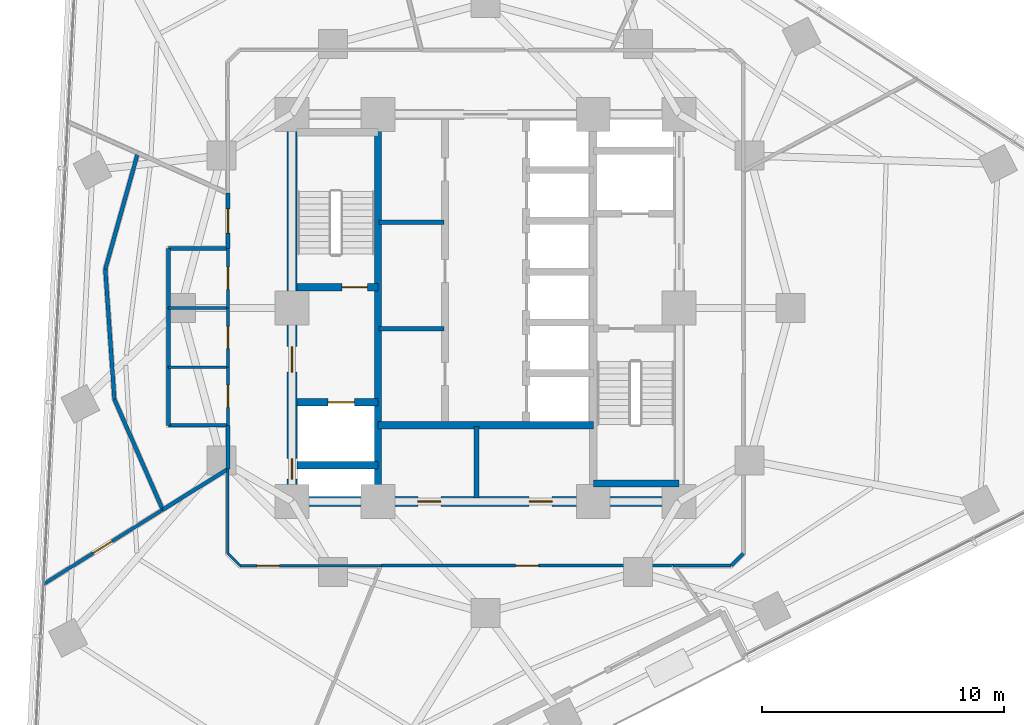
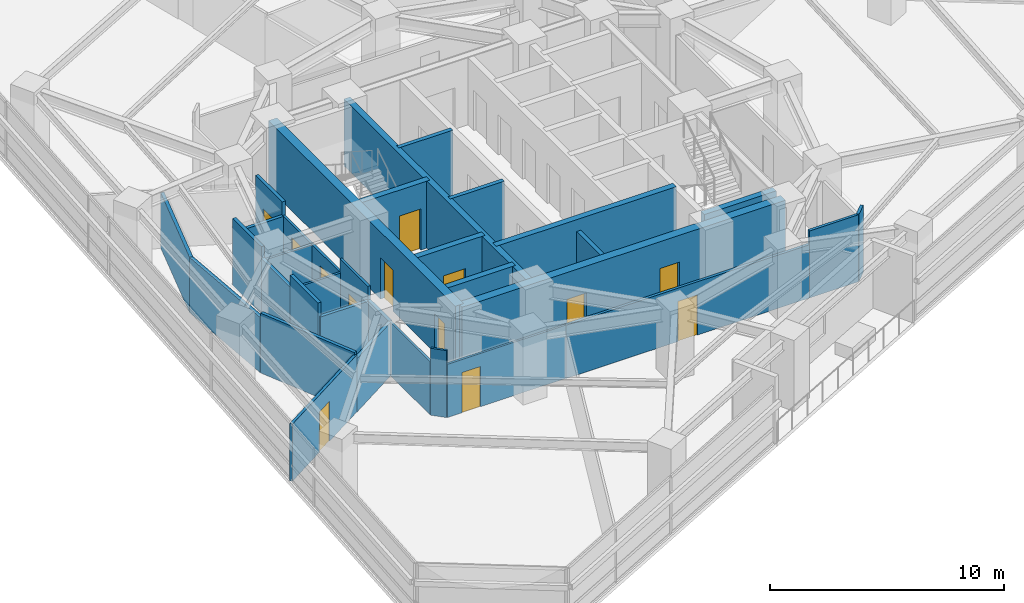
# One storey, part 8 of 14: 34 walls, 13 doors, 13 openings.
"""IFC4 building model written with IfcOpenShell, lengths in metres."""

from ifc_helpers import new_model, si_unit, direction, frame, frame_2d, origin, place, context, subcontext, project, spatial, rectangle, extrude, material, layer, layer_set, type_object, element, fill, save


model = new_model("IFC4")

# Units and contexts
model_context = context("Model", 3, precision=1e-05, world=origin(), true_north=direction((0.0, 1.0)))
body_context = subcontext(model_context, "Body", "Model", "MODEL_VIEW")
ifc_project = project(units=[si_unit("LENGTHUNIT", "METRE"), si_unit("AREAUNIT", "SQUARE_METRE"), si_unit("VOLUMEUNIT", "CUBIC_METRE"), si_unit("PLANEANGLEUNIT", "RADIAN"), si_unit("MASSUNIT", "GRAM", prefix="KILO")], contexts=[model_context])

# Site, building, storey
site_placement = place(None, origin())
site = spatial("IfcSite", under=ifc_project, at=site_placement, CompositionType="ELEMENT")
building_placement = place(site_placement, origin())
building = spatial("IfcBuilding", under=site, at=building_placement, Name="Terralouvre Media Tower", CompositionType="ELEMENT")
storey_placement = place(building_placement, frame((0.0, 0.0, 131.0)))
storey = spatial("IfcBuildingStorey", under=building, at=storey_placement, Name="L33", CompositionType="ELEMENT", Elevation=131.0)

# Wall
ifc_material_1 = material(Name="Concrete C50/60", Category="concrete")
ifc_layer_1 = layer(ifc_material_1, 0.300048828125, Name="Core Internal Shaft Wall CW-300")
ifc_layer_set_1 = layer_set([ifc_layer_1], Name="Concrete C50/60")
wall_type_1 = type_object("IfcWallType", Name="Core Internal Shaft Wall CW-300", PredefinedType="SHEAR", material=ifc_layer_set_1)
wall_1_placement = place(storey_placement, frame((-4.449951171875, -7.7900390625, 0.0), z_axis=(0.0, 0.0, 1.0), x_axis=(0.0, 1.0, 0.0)))
element("IfcWall", 1, at=wall_1_placement, inside=storey, type_object=wall_type_1, Name="L33 Core Shaft Wall SPW", PredefinedType="SHEAR", context=body_context, shape_type="SweptSolid", body=[
    extrude(rectangle(XDim=15.580078125, YDim=0.300048828125, at=frame_2d((7.7900390625, 0.0))), origin(), (0.0, 0.0, 1.0), 3.5),
])

# Wall, opening, door
wall_2_placement = place(storey_placement, frame((-7.7900390625, 0.85009765625, 0.0), z_axis=(0.0, 0.0, 1.0), x_axis=(1.0, 0.0, 0.0)))
wall_2 = element("IfcWall", 2, at=wall_2_placement, inside=storey, type_object=wall_type_1, Name="L33 Core Shaft Wall ST1D", PredefinedType="SHEAR", context=body_context, shape_type="SweptSolid", body=[
    extrude(rectangle(XDim=3.340087890625, YDim=0.300048828125, at=frame_2d((1.669921875, 0.0))), origin(), (0.0, 0.0, 1.0), 3.5),
])
opening_1_placement = place(wall_2_placement, frame((1.85009765625, 0.0, 0.0)))
opening_1 = element("IfcOpeningElement", 3, at=opening_1_placement, cuts=wall_2, Name="Opening FD-01-105X215", PredefinedType="OPENING", context=body_context, shape_type="SweptSolid", body=[
    extrude(rectangle(XDim=1.050048828125, YDim=2.14990234375, at=frame_2d((0.52490234375, 1.074951171875))), frame((0.0, 0.159912109375, 0.0), z_axis=(0.0, -1.0, 0.0), x_axis=(1.0, 0.0, 0.0)), (0.0, 0.0, 1.0), 0.320068359375),
])
ifc_material_2 = material(Name="Galvanised steel fire-resisting leaf", Category="steel")
door_type_1 = type_object("IfcDoorType", Name="Stair and Firefighting Lobby Fire Door FD-01 (1050x2150)", OperationType="NOTDEFINED", PredefinedType="DOOR", material=ifc_material_2)
door_1_placement = place(opening_1_placement, origin())
door_1 = element("IfcDoor", 4, at=door_1_placement, inside=storey, type_object=door_type_1, Name="L33 ST-01 Exit Stair Door", OperationType="SINGLE_SWING_LEFT", OverallHeight=2.14990234375, OverallWidth=1.050048828125, PredefinedType="DOOR", context=body_context, shape_type="SweptSolid", body=[
    extrude(rectangle(XDim=1.050048828125, YDim=2.14990234375, at=frame_2d((0.52490234375, 1.074951171875))), frame((0.0, 0.02490234375, 0.0), z_axis=(0.0, -1.0, 0.0), x_axis=(1.0, 0.0, 0.0)), (0.0, 0.0, 1.0), 0.050048828125),
])
fill(opening_1, door_1)

# Wall
wall_3_placement = place(storey_placement, frame((4.449951171875, -7.260009765625, 0.0), z_axis=(0.0, 0.0, 1.0), x_axis=(1.0, 0.0, 0.0)))
element("IfcWall", 5, at=wall_3_placement, inside=storey, type_object=wall_type_1, Name="L33 Core Shaft Wall ST2F", PredefinedType="SHEAR", context=body_context, shape_type="SweptSolid", body=[
    extrude(rectangle(XDim=3.550048828125, YDim=0.300048828125, at=frame_2d((1.77490234375, 0.0))), origin(), (0.0, 0.0, 1.0), 3.5),
])

# Wall, opening, door
wall_4_placement = place(storey_placement, frame((-7.7900390625, -3.89990234375, 0.0), z_axis=(0.0, 0.0, 1.0), x_axis=(1.0, 0.0, 0.0)))
wall_4 = element("IfcWall", 6, at=wall_4_placement, inside=storey, type_object=wall_type_1, Name="L33 Core Shaft Wall FF1N", PredefinedType="SHEAR", context=body_context, shape_type="SweptSolid", body=[
    extrude(rectangle(XDim=3.340087890625, YDim=0.300048828125, at=frame_2d((1.669921875, 0.0))), origin(), (0.0, 0.0, 1.0), 3.5),
])
opening_2_placement = place(wall_4_placement, frame((1.27001953125, 0.0, 0.0)))
opening_2 = element("IfcOpeningElement", 7, at=opening_2_placement, cuts=wall_4, Name="Opening LD-FF", PredefinedType="OPENING", context=body_context, shape_type="SweptSolid", body=[
    extrude(rectangle(XDim=1.10009765625, YDim=2.10009765625, at=frame_2d((0.550048828125, 1.050048828125))), frame((0.0, 0.159912109375, 0.0), z_axis=(0.0, -1.0, 0.0), x_axis=(1.0, 0.0, 0.0)), (0.0, 0.0, 1.0), 0.320068359375),
])
ifc_material_3 = material(Name="Stainless steel 316 handrail and balustrade", Category="steel")
door_type_2 = type_object("IfcDoorType", Name="Firefighting Lift Sliding Landing Door LD-FF", OperationType="SLIDING_TO_LEFT", PredefinedType="DOOR", material=ifc_material_3)
door_2_placement = place(opening_2_placement, origin())
door_2 = element("IfcDoor", 8, at=door_2_placement, inside=storey, type_object=door_type_2, Name="L33 Firefighting Lift FFL-01 Landing Door", OperationType="SLIDING_TO_LEFT", OverallHeight=2.10009765625, OverallWidth=1.10009765625, PredefinedType="DOOR", context=body_context, shape_type="SweptSolid", body=[
    extrude(rectangle(XDim=1.10009765625, YDim=2.10009765625, at=frame_2d((0.550048828125, 1.050048828125))), frame((0.0, 0.02490234375, 0.0), z_axis=(0.0, -1.0, 0.0), x_axis=(1.0, 0.0, 0.0)), (0.0, 0.0, 1.0), 0.050048828125),
])
fill(opening_2, door_2)

# Walls
wall_5_placement = place(storey_placement, frame((-7.7900390625, -6.5, 0.0), z_axis=(0.0, 0.0, 1.0), x_axis=(1.0, 0.0, 0.0)))
element("IfcWall", 9, at=wall_5_placement, inside=storey, type_object=wall_type_1, Name="L33 Core Shaft Wall FF1S", PredefinedType="SHEAR", context=body_context, shape_type="SweptSolid", body=[
    extrude(rectangle(XDim=3.340087890625, YDim=0.300048828125, at=frame_2d((1.669921875, 0.0))), origin(), (0.0, 0.0, 1.0), 3.5),
])
wall_6_placement = place(storey_placement, frame((-4.449951171875, -4.85009765625, 0.0), z_axis=(0.0, 0.0, 1.0), x_axis=(1.0, 0.0, 0.0)))
element("IfcWall", 10, at=wall_6_placement, inside=storey, type_object=wall_type_1, Name="L33 Core Shaft Wall CSBN", PredefinedType="SHEAR", context=body_context, shape_type="SweptSolid", body=[
    extrude(rectangle(XDim=8.89990234375, YDim=0.300048828125, at=frame_2d((4.449951171875, 0.0))), origin(), (0.0, 0.0, 1.0), 3.5),
])

# Wall, openings, doors
ifc_material_4 = material(Name="Concrete C60/75", Category="concrete")
ifc_layer_2 = layer(ifc_material_4, 0.419921875, Name="Core Reinforced Concrete Shear Wall CW-420")
ifc_layer_set_2 = layer_set([ifc_layer_2], Name="Concrete C60/75")
wall_type_2 = type_object("IfcWallType", Name="Core Reinforced Concrete Shear Wall CW-420", PredefinedType="SHEAR", material=ifc_layer_set_2)
wall_7_placement = place(storey_placement, frame((-8.0, -8.0, 0.0), z_axis=(0.0, 0.0, 1.0), x_axis=(0.0, 1.0, 0.0)))
wall_7 = element("IfcWall", 11, at=wall_7_placement, inside=storey, type_object=wall_type_2, Name="L33 W Core Shear Wall", PredefinedType="SHEAR", context=body_context, shape_type="SweptSolid", body=[
    extrude(rectangle(XDim=16.0, YDim=0.419921875, at=frame_2d((8.0, 0.0))), origin(), (0.0, 0.0, 1.0), 3.5),
])
opening_3_placement = place(wall_7_placement, frame((0.921630859375, 0.0, 0.0)))
opening_3 = element("IfcOpeningElement", 12, at=opening_3_placement, cuts=wall_7, Name="Opening TD-R1", PredefinedType="OPENING", context=body_context, shape_type="SweptSolid", body=[
    extrude(rectangle(XDim=0.85009765625, YDim=2.02001953125, at=frame_2d((0.425048828125, 1.010009765625))), frame((0.0, 0.219970703125, 0.0), z_axis=(0.0, -1.0, 0.0), x_axis=(1.0, 0.0, 0.0)), (0.0, 0.0, 1.0), 0.43994140625),
])
opening_4_placement = place(wall_7_placement, frame((5.35009765625, 0.0, 0.0)))
opening_4 = element("IfcOpeningElement", 13, at=opening_4_placement, cuts=wall_7, Name="Opening FD-01-105X215", PredefinedType="OPENING", context=body_context, shape_type="SweptSolid", body=[
    extrude(rectangle(XDim=1.050048828125, YDim=2.14990234375, at=frame_2d((0.52490234375, 1.074951171875))), frame((0.0, 0.219970703125, 0.0), z_axis=(0.0, -1.0, 0.0), x_axis=(1.0, 0.0, 0.0)), (0.0, 0.0, 1.0), 0.43994140625),
])
ifc_material_5 = material(Name="Galvanised steel fire-resisting leaf", Category="steel")
door_type_3 = type_object("IfcDoorType", Name="Riser Inspection Access Trapdoor TD-R1", OperationType="NOTDEFINED", PredefinedType="TRAPDOOR", material=ifc_material_5)
door_3_placement = place(opening_3_placement, origin())
door_3 = element("IfcDoor", 14, at=door_3_placement, inside=storey, type_object=door_type_3, Name="L33 Wet Riser Access Trapdoor", OperationType="SINGLE_SWING_LEFT", OverallHeight=2.02001953125, OverallWidth=0.85009765625, PredefinedType="TRAPDOOR", context=body_context, shape_type="SweptSolid", body=[
    extrude(rectangle(XDim=0.85009765625, YDim=2.02001953125, at=frame_2d((0.425048828125, 1.010009765625))), frame((0.0, 0.02490234375, 0.0), z_axis=(0.0, -1.0, 0.0), x_axis=(1.0, 0.0, 0.0)), (0.0, 0.0, 1.0), 0.050048828125),
])
fill(opening_3, door_3)
door_4_placement = place(opening_4_placement, origin())
door_4 = element("IfcDoor", 15, at=door_4_placement, inside=storey, type_object=door_type_1, Name="L33 West Firefighting Lobby Entry Door", OperationType="SINGLE_SWING_RIGHT", OverallHeight=2.14990234375, OverallWidth=1.050048828125, PredefinedType="DOOR", context=body_context, shape_type="SweptSolid", body=[
    extrude(rectangle(XDim=1.050048828125, YDim=2.14990234375, at=frame_2d((0.52490234375, 1.074951171875))), frame((0.0, 0.02490234375, 0.0), z_axis=(0.0, -1.0, 0.0), x_axis=(1.0, 0.0, 0.0)), (0.0, 0.0, 1.0), 0.050048828125),
])
fill(opening_4, door_4)

wall_8_placement = place(storey_placement, frame((-8.0, -8.0, 0.0), z_axis=(0.0, 0.0, 1.0), x_axis=(1.0, 0.0, 0.0)))
wall_8 = element("IfcWall", 16, at=wall_8_placement, inside=storey, type_object=wall_type_2, Name="L33 S Core Shear Wall", PredefinedType="SHEAR", context=body_context, shape_type="SweptSolid", body=[
    extrude(rectangle(XDim=16.0, YDim=0.419921875, at=frame_2d((8.0, 0.0))), origin(), (0.0, 0.0, 1.0), 3.5),
])
opening_5_placement = place(wall_8_placement, frame((5.199951171875, 0.0, 0.0)))
opening_5 = element("IfcOpeningElement", 17, at=opening_5_placement, cuts=wall_8, Name="Opening FD-02-95X210", PredefinedType="OPENING", context=body_context, shape_type="SweptSolid", body=[
    extrude(rectangle(XDim=0.949951171875, YDim=2.10009765625, at=frame_2d((0.47509765625, 1.050048828125))), frame((0.0, 0.219970703125, 0.0), z_axis=(0.0, -1.0, 0.0), x_axis=(1.0, 0.0, 0.0)), (0.0, 0.0, 1.0), 0.43994140625),
])
opening_6_placement = place(wall_8_placement, frame((9.800048828125, 0.0, 0.0)))
opening_6 = element("IfcOpeningElement", 18, at=opening_6_placement, cuts=wall_8, Name="Opening FD-02-95X210", PredefinedType="OPENING", context=body_context, shape_type="SweptSolid", body=[
    extrude(rectangle(XDim=0.949951171875, YDim=2.10009765625, at=frame_2d((0.47509765625, 1.050048828125))), frame((0.0, 0.219970703125, 0.0), z_axis=(0.0, -1.0, 0.0), x_axis=(1.0, 0.0, 0.0)), (0.0, 0.0, 1.0), 0.43994140625),
])
ifc_material_6 = material(Name="Galvanised steel fire-resisting leaf", Category="steel")
door_type_4 = type_object("IfcDoorType", Name="Plant and Riser Fire Door FD-02 (950x2100)", OperationType="NOTDEFINED", PredefinedType="DOOR", material=ifc_material_6)
door_5_placement = place(opening_5_placement, origin())
door_5 = element("IfcDoor", 19, at=door_5_placement, inside=storey, type_object=door_type_4, Name="L33 Core Valve Plant Door", OperationType="SINGLE_SWING_LEFT", OverallHeight=2.10009765625, OverallWidth=0.949951171875, PredefinedType="DOOR", context=body_context, shape_type="SweptSolid", body=[
    extrude(rectangle(XDim=0.949951171875, YDim=2.10009765625, at=frame_2d((0.47509765625, 1.050048828125))), frame((0.0, 0.02490234375, 0.0), z_axis=(0.0, -1.0, 0.0), x_axis=(1.0, 0.0, 0.0)), (0.0, 0.0, 1.0), 0.050048828125),
])
fill(opening_5, door_5)
door_6_placement = place(opening_6_placement, origin())
door_6 = element("IfcDoor", 20, at=door_6_placement, inside=storey, type_object=door_type_4, Name="L33 Core MDF Plant Door", OperationType="SINGLE_SWING_RIGHT", OverallHeight=2.10009765625, OverallWidth=0.949951171875, PredefinedType="DOOR", context=body_context, shape_type="SweptSolid", body=[
    extrude(rectangle(XDim=0.949951171875, YDim=2.10009765625, at=frame_2d((0.47509765625, 1.050048828125))), frame((0.0, 0.02490234375, 0.0), z_axis=(0.0, -1.0, 0.0), x_axis=(1.0, 0.0, 0.0)), (0.0, 0.0, 1.0), 0.050048828125),
])
fill(opening_6, door_6)

# Walls
ifc_material_7 = material(Name="Low-iron laminated double glazing with solar-control coating", Category="glass")
ifc_layer_3 = layer(ifc_material_7, 0.10009765625, Name="Demountable Glazed Office Partition PT-GL100")
ifc_layer_set_3 = layer_set([ifc_layer_3], Name="Low-iron laminated double glazing with solar-control coating")
wall_type_3 = type_object("IfcWallType", Name="Demountable Glazed Office Partition PT-GL100", PredefinedType="MOVABLE", material=ifc_layer_set_3)
wall_9_placement = place(storey_placement, frame((-10.64990234375, -6.655029296875, 0.0), z_axis=(0.0, 0.0, 1.0), x_axis=(0.0, -1.0, 0.0)))
element("IfcWall", 21, at=wall_9_placement, inside=storey, type_object=wall_type_3, Name="L33 Interior Partition 005", PredefinedType="MOVABLE", context=body_context, shape_type="SweptSolid", body=[
    extrude(rectangle(XDim=3.494873046875, YDim=0.10009765625, at=frame_2d((1.74755859375, 0.0))), origin(), (0.0, 0.0, 1.0), 2.784912109375),
])
wall_10_placement = place(storey_placement, frame((-10.64990234375, -10.14990234375, 0.0), z_axis=(0.0, 0.0, 1.0), x_axis=(0.707106781187, -0.707106781187, 0.0)))
element("IfcWall", 22, at=wall_10_placement, inside=storey, type_object=wall_type_3, Name="L33 Interior Partition 006", PredefinedType="MOVABLE", context=body_context, shape_type="SweptSolid", body=[
    extrude(rectangle(XDim=0.70703125, YDim=0.10009765625, at=frame_2d((0.353515625, 0.0))), origin(), (0.0, 0.0, 1.0), 3.5),
])

# Wall, opening, door
wall_11_placement = place(storey_placement, frame((-10.14990234375, -10.64990234375, 0.0), z_axis=(0.0, 0.0, 1.0), x_axis=(1.0, 0.0, 0.0)))
wall_11 = element("IfcWall", 23, at=wall_11_placement, inside=storey, type_object=wall_type_3, Name="L33 Interior Partition 007", PredefinedType="MOVABLE", context=body_context, shape_type="SweptSolid", body=[
    extrude(rectangle(XDim=5.846923828125, YDim=0.10009765625, at=frame_2d((2.92333984375, 0.0))), origin(), (0.0, 0.0, 1.0), 2.784912109375),
])
opening_7_placement = place(wall_11_placement, frame((0.70947265625, 0.0, 0.0)))
opening_7 = element("IfcOpeningElement", 24, at=opening_7_placement, cuts=wall_11, Name="Opening ID-03-92X210", PredefinedType="OPENING", context=body_context, shape_type="SweptSolid", body=[
    extrude(rectangle(XDim=0.919921875, YDim=2.10009765625, at=frame_2d((0.4599609375, 1.050048828125))), frame((0.0, 0.06005859375, 0.0), z_axis=(0.0, -1.0, 0.0), x_axis=(1.0, 0.0, 0.0)), (0.0, 0.0, 1.0), 0.1201171875),
])
ifc_material_8 = material(Name="Engineered hardwood acoustic timber leaf", Category="wood")
door_type_5 = type_object("IfcDoorType", Name="Accessible Restroom and Suite Door ID-03 (920x2100)", OperationType="NOTDEFINED", PredefinedType="DOOR", material=ifc_material_8)
door_7_placement = place(opening_7_placement, origin())
door_7 = element("IfcDoor", 25, at=door_7_placement, inside=storey, type_object=door_type_5, Name="L33 Arts Critique Seminar Room 3 Door", OperationType="SINGLE_SWING_LEFT", OverallHeight=2.10009765625, OverallWidth=0.919921875, PredefinedType="DOOR", context=body_context, shape_type="SweptSolid", body=[
    extrude(rectangle(XDim=0.919921875, YDim=2.10009765625, at=frame_2d((0.4599609375, 1.050048828125))), frame((0.0, 0.02490234375, 0.0), z_axis=(0.0, -1.0, 0.0), x_axis=(1.0, 0.0, 0.0)), (0.0, 0.0, 1.0), 0.050048828125),
])
fill(opening_7, door_7)

# Walls
ifc_material_9 = material(Name="Fire-rated gypsum board drywall partition")
ifc_layer_4 = layer(ifc_material_9, 0.199951171875, Name="Fire-Rated Shaft and Lobby Partition FW-200")
ifc_layer_set_4 = layer_set([ifc_layer_4], Name="Fire-rated gypsum board drywall partition")
wall_type_4 = type_object("IfcWallType", Name="Fire-Rated Shaft and Lobby Partition FW-200", PredefinedType="SOLIDWALL", material=ifc_layer_set_4)
wall_12_placement = place(storey_placement, frame((-0.3798828125, -7.85009765625, 0.0), z_axis=(0.0, 0.0, 1.0), x_axis=(0.0, 1.0, 0.0)))
element("IfcWall", 26, at=wall_12_placement, inside=storey, type_object=wall_type_4, Name="L33 Core Service Bay Partition 1", PredefinedType="SOLIDWALL", context=body_context, shape_type="SweptSolid", body=[
    extrude(rectangle(XDim=2.9501953125, YDim=0.199951171875, at=frame_2d((1.47509765625, 0.0))), origin(), (0.0, 0.0, 1.0), 2.885009765625),
])
for number, where, z_axis, x_axis, name in (
    (27, (-4.39990234375, -0.860107421875, 0.0), (0.0, 0.0, 1.0), (1.0, 0.0, 0.0), "L33 Core West Sub-Partition 1"),
    (28, (-4.39990234375, 3.5400390625, 0.0), (0.0, 0.0, 1.0), (1.0, 0.0, 0.0), "L33 Core West Sub-Partition 2"),
):
    element("IfcWall", number, at=place(storey_placement, frame(where, z_axis=z_axis, x_axis=x_axis)), inside=storey, type_object=wall_type_4, Name=name, PredefinedType="SOLIDWALL", context=body_context, shape_type="SweptSolid", body=[
        extrude(rectangle(XDim=2.679931640625, YDim=0.199951171875, at=frame_2d((1.33984375, 0.0))), origin(), (0.0, 0.0, 1.0), 3.5),
    ])

# Wall, opening, door
ifc_material_10 = material(Name="Fire-rated gypsum board drywall partition")
ifc_layer_5 = layer(ifc_material_10, 0.135009765625, Name="Newsroom Acoustic Partition PT-135")
ifc_layer_set_5 = layer_set([ifc_layer_5], Name="Fire-rated gypsum board drywall partition")
wall_type_5 = type_object("IfcWallType", Name="Newsroom Acoustic Partition PT-135", PredefinedType="PARTITIONING", material=ifc_layer_set_5)
wall_13_placement = place(storey_placement, frame((-4.302978515625, -10.64990234375, 0.0), z_axis=(0.0, 0.0, 1.0), x_axis=(1.0, 0.0, 0.0)))
wall_13 = element("IfcWall", 29, at=wall_13_placement, inside=storey, type_object=wall_type_5, Name="L33 Interior Partition 008", PredefinedType="PARTITIONING", context=body_context, shape_type="SweptSolid", body=[
    extrude(rectangle(XDim=12.041015625, YDim=0.135009765625, at=frame_2d((6.0205078125, 0.0))), origin(), (0.0, 0.0, 1.0), 2.784912109375),
])
opening_8_placement = place(wall_13_placement, frame((5.54541015625, 0.0, 0.0)))
opening_8 = element("IfcOpeningElement", 30, at=opening_8_placement, cuts=wall_13, Name="Opening ID-02-95X210", PredefinedType="OPENING", context=body_context, shape_type="SweptSolid", body=[
    extrude(rectangle(XDim=0.949951171875, YDim=2.10009765625, at=frame_2d((0.47509765625, 1.050048828125))), frame((0.0, 0.077392578125, 0.0), z_axis=(0.0, -1.0, 0.0), x_axis=(1.0, 0.0, 0.0)), (0.0, 0.0, 1.0), 0.155029296875),
])
ifc_material_11 = material(Name="Engineered hardwood acoustic timber leaf", Category="wood")
door_type_6 = type_object("IfcDoorType", Name="Office and Meeting Room Door ID-02 (950x2100)", OperationType="NOTDEFINED", PredefinedType="DOOR", material=ifc_material_11)
door_8_placement = place(opening_8_placement, origin())
door_8 = element("IfcDoor", 31, at=door_8_placement, inside=storey, type_object=door_type_6, Name="L33 Cultural Quarterly Editorial Office 4 Door", OperationType="SINGLE_SWING_RIGHT", OverallHeight=2.10009765625, OverallWidth=0.949951171875, PredefinedType="DOOR", context=body_context, shape_type="SweptSolid", body=[
    extrude(rectangle(XDim=0.949951171875, YDim=2.10009765625, at=frame_2d((0.47509765625, 1.050048828125))), frame((0.0, 0.02490234375, 0.0), z_axis=(0.0, -1.0, 0.0), x_axis=(1.0, 0.0, 0.0)), (0.0, 0.0, 1.0), 0.050048828125),
])
fill(opening_8, door_8)

# Walls
wall_14_placement = place(storey_placement, frame((7.738037109375, -10.64990234375, 0.0), z_axis=(0.0, 0.0, 1.0), x_axis=(1.0, 0.0, 0.0)))
element("IfcWall", 32, at=wall_14_placement, inside=storey, type_object=wall_type_5, Name="L33 Interior Partition 009", PredefinedType="PARTITIONING", context=body_context, shape_type="SweptSolid", body=[
    extrude(rectangle(XDim=2.411865234375, YDim=0.135009765625, at=frame_2d((1.2060546875, 0.0))), origin(), (0.0, 0.0, 1.0), 3.5),
])
wall_15_placement = place(storey_placement, frame((10.14990234375, -10.64990234375, 0.0), z_axis=(0.0, 0.0, 1.0), x_axis=(0.707106781187, 0.707106781187, 0.0)))
element("IfcWall", 33, at=wall_15_placement, inside=storey, type_object=wall_type_5, Name="L33 Interior Partition 010", PredefinedType="PARTITIONING", context=body_context, shape_type="SweptSolid", body=[
    extrude(rectangle(XDim=0.70703125, YDim=0.135009765625, at=frame_2d((0.353515625, 0.0))), origin(), (0.0, 0.0, 1.0), 3.5),
])

# Wall, opening, door
wall_16_placement = place(storey_placement, frame((-18.31591796875, -11.444580078125, 0.0), z_axis=(0.0, 0.0, 1.0), x_axis=(0.848103549297, 0.529830510324, 0.0)))
wall_16 = element("IfcWall", 34, at=wall_16_placement, inside=storey, type_object=wall_type_5, Name="L33 Interior Partition 032", PredefinedType="PARTITIONING", context=body_context, shape_type="SweptSolid", body=[
    extrude(rectangle(XDim=5.863525390625, YDim=0.135009765625, at=frame_2d((2.931640625, 0.0))), origin(), (0.0, 0.0, 1.0), 2.985107421875),
])
opening_9_placement = place(wall_16_placement, frame((2.4716796875, 0.0, 0.0)))
opening_9 = element("IfcOpeningElement", 35, at=opening_9_placement, cuts=wall_16, Name="Opening ID-03-92X210", PredefinedType="OPENING", context=body_context, shape_type="SweptSolid", body=[
    extrude(rectangle(XDim=0.919921875, YDim=2.10009765625, at=frame_2d((0.4599609375, 1.050048828125))), frame((0.0, 0.077392578125, 0.0), z_axis=(0.0, -1.0, 0.0), x_axis=(1.0, 0.0, 0.0)), (0.0, 0.0, 1.0), 0.155029296875),
])
door_9_placement = place(opening_9_placement, origin())
door_9 = element("IfcDoor", 36, at=door_9_placement, inside=storey, type_object=door_type_5, Name="L33 Classical and Jazz Listening Library 2 Door", OperationType="SINGLE_SWING_RIGHT", OverallHeight=2.10009765625, OverallWidth=0.919921875, PredefinedType="DOOR", context=body_context, shape_type="SweptSolid", body=[
    extrude(rectangle(XDim=0.919921875, YDim=2.10009765625, at=frame_2d((0.4599609375, 1.050048828125))), frame((0.0, 0.02490234375, 0.0), z_axis=(0.0, -1.0, 0.0), x_axis=(1.0, 0.0, 0.0)), (0.0, 0.0, 1.0), 0.050048828125),
])
fill(opening_9, door_9)

ifc_material_12 = material(Name="Fire-rated gypsum board drywall partition")
ifc_layer_6 = layer(ifc_material_12, 0.114990234375, Name="Restroom and Pantry Partition PT-115")
ifc_layer_set_6 = layer_set([ifc_layer_6], Name="Fire-rated gypsum board drywall partition")
wall_type_6 = type_object("IfcWallType", Name="Restroom and Pantry Partition PT-115", PredefinedType="PARTITIONING", material=ifc_layer_set_6)
wall_17_placement = place(storey_placement, frame((-10.64990234375, 0.0, 0.0), z_axis=(0.0, 0.0, 1.0), x_axis=(0.0, -1.0, 0.0)))
wall_17 = element("IfcWall", 37, at=wall_17_placement, inside=storey, type_object=wall_type_6, Name="L33 Interior Partition 003", PredefinedType="PARTITIONING", context=body_context, shape_type="SweptSolid", body=[
    extrude(rectangle(XDim=2.449951171875, YDim=0.114990234375, at=frame_2d((1.22509765625, 0.0))), origin(), (0.0, 0.0, 1.0), 2.784912109375),
])
opening_10_placement = place(wall_17_placement, frame((0.764892578125, 0.0, 0.0)))
opening_10 = element("IfcOpeningElement", 38, at=opening_10_placement, cuts=wall_17, Name="Opening ID-03-92X210", PredefinedType="OPENING", context=body_context, shape_type="SweptSolid", body=[
    extrude(rectangle(XDim=0.919921875, YDim=2.10009765625, at=frame_2d((0.4599609375, 1.050048828125))), frame((0.0, 0.0673828125, 0.0), z_axis=(0.0, -1.0, 0.0), x_axis=(1.0, 0.0, 0.0)), (0.0, 0.0, 1.0), 0.135009765625),
])
door_10_placement = place(opening_10_placement, origin())
door_10 = element("IfcDoor", 39, at=door_10_placement, inside=storey, type_object=door_type_5, Name="L33 Female Restroom WC Door", OperationType="SINGLE_SWING_LEFT", OverallHeight=2.10009765625, OverallWidth=0.919921875, PredefinedType="DOOR", context=body_context, shape_type="SweptSolid", body=[
    extrude(rectangle(XDim=0.919921875, YDim=2.10009765625, at=frame_2d((0.4599609375, 1.050048828125))), frame((0.0, 0.02490234375, 0.0), z_axis=(0.0, -1.0, 0.0), x_axis=(1.0, 0.0, 0.0)), (0.0, 0.0, 1.0), 0.050048828125),
])
fill(opening_10, door_10)

wall_18_placement = place(storey_placement, frame((-10.64990234375, -2.449951171875, 0.0), z_axis=(0.0, 0.0, 1.0), x_axis=(0.0, -1.0, 0.0)))
wall_18 = element("IfcWall", 40, at=wall_18_placement, inside=storey, type_object=wall_type_6, Name="L33 Interior Partition 004", PredefinedType="PARTITIONING", context=body_context, shape_type="SweptSolid", body=[
    extrude(rectangle(XDim=2.400146484375, YDim=0.114990234375, at=frame_2d((1.2001953125, 0.0))), origin(), (0.0, 0.0, 1.0), 3.5),
])
opening_11_placement = place(wall_18_placement, frame((0.739990234375, 0.0, 0.0)))
opening_11 = element("IfcOpeningElement", 41, at=opening_11_placement, cuts=wall_18, Name="Opening ID-03-92X210", PredefinedType="OPENING", context=body_context, shape_type="SweptSolid", body=[
    extrude(rectangle(XDim=0.919921875, YDim=2.10009765625, at=frame_2d((0.4599609375, 1.050048828125))), frame((0.0, 0.0673828125, 0.0), z_axis=(0.0, -1.0, 0.0), x_axis=(1.0, 0.0, 0.0)), (0.0, 0.0, 1.0), 0.135009765625),
])
door_11_placement = place(opening_11_placement, origin())
door_11 = element("IfcDoor", 42, at=door_11_placement, inside=storey, type_object=door_type_5, Name="L33 Male Restroom WC Door", OperationType="SINGLE_SWING_RIGHT", OverallHeight=2.10009765625, OverallWidth=0.919921875, PredefinedType="DOOR", context=body_context, shape_type="SweptSolid", body=[
    extrude(rectangle(XDim=0.919921875, YDim=2.10009765625, at=frame_2d((0.4599609375, 1.050048828125))), frame((0.0, 0.02490234375, 0.0), z_axis=(0.0, -1.0, 0.0), x_axis=(1.0, 0.0, 0.0)), (0.0, 0.0, 1.0), 0.050048828125),
])
fill(opening_11, door_11)

wall_19_placement = place(storey_placement, frame((-10.64990234375, 2.449951171875, 0.0), z_axis=(0.0, 0.0, 1.0), x_axis=(0.0, -1.0, 0.0)))
wall_19 = element("IfcWall", 43, at=wall_19_placement, inside=storey, type_object=wall_type_6, Name="L33 Interior Partition 019", PredefinedType="PARTITIONING", context=body_context, shape_type="SweptSolid", body=[
    extrude(rectangle(XDim=2.449951171875, YDim=0.114990234375, at=frame_2d((1.22509765625, 0.0))), origin(), (0.0, 0.0, 1.0), 2.784912109375),
])
opening_12_placement = place(wall_19_placement, frame((0.764892578125, 0.0, 0.0)))
opening_12 = element("IfcOpeningElement", 44, at=opening_12_placement, cuts=wall_19, Name="Opening ID-03-92X210", PredefinedType="OPENING", context=body_context, shape_type="SweptSolid", body=[
    extrude(rectangle(XDim=0.919921875, YDim=2.10009765625, at=frame_2d((0.4599609375, 1.050048828125))), frame((0.0, 0.0673828125, 0.0), z_axis=(0.0, -1.0, 0.0), x_axis=(1.0, 0.0, 0.0)), (0.0, 0.0, 1.0), 0.135009765625),
])
door_12_placement = place(opening_12_placement, origin())
door_12 = element("IfcDoor", 45, at=door_12_placement, inside=storey, type_object=door_type_5, Name="L33 Accessible Unisex WC Door", OperationType="SINGLE_SWING_LEFT", OverallHeight=2.10009765625, OverallWidth=0.919921875, PredefinedType="DOOR", context=body_context, shape_type="SweptSolid", body=[
    extrude(rectangle(XDim=0.919921875, YDim=2.10009765625, at=frame_2d((0.4599609375, 1.050048828125))), frame((0.0, 0.02490234375, 0.0), z_axis=(0.0, -1.0, 0.0), x_axis=(1.0, 0.0, 0.0)), (0.0, 0.0, 1.0), 0.050048828125),
])
fill(opening_12, door_12)

# Walls
for number, where, z_axis, x_axis, name in (
    (46, (-13.10009765625, -2.449951171875, 0.0), (0.0, 0.0, 1.0), (1.0, 0.0, 0.0), "L33 Interior Partition 030"),
    (47, (-10.64990234375, 0.0, 0.0), (0.0, 0.0, 1.0), (-1.0, 0.0, 0.0), "L33 Interior Partition 031"),
):
    element("IfcWall", number, at=place(storey_placement, frame(where, z_axis=z_axis, x_axis=x_axis)), inside=storey, type_object=wall_type_6, Name=name, PredefinedType="PARTITIONING", context=body_context, shape_type="SweptSolid", body=[
        extrude(rectangle(XDim=2.4501953125, YDim=0.114990234375, at=frame_2d((1.22509765625, 0.0))), origin(), (0.0, 0.0, 1.0), 2.784912109375),
    ])
ifc_material_13 = material(Name="Fire-rated gypsum board drywall partition")
ifc_layer_7 = layer(ifc_material_13, 0.159912109375, Name="Studio Acoustic Rated Partition PT-160")
ifc_layer_set_7 = layer_set([ifc_layer_7], Name="Fire-rated gypsum board drywall partition")
wall_type_7 = type_object("IfcWallType", Name="Studio Acoustic Rated Partition PT-160", PredefinedType="PARTITIONING", material=ifc_layer_set_7)
wall_20_placement = place(storey_placement, frame((-10.64990234375, -4.85009765625, 0.0), z_axis=(0.0, 0.0, 1.0), x_axis=(0.0, -1.0, 0.0)))
element("IfcWall", 48, at=wall_20_placement, inside=storey, type_object=wall_type_7, Name="L33 Interior Partition 001", PredefinedType="PARTITIONING", context=body_context, shape_type="SweptSolid", body=[
    extrude(rectangle(XDim=1.804931640625, YDim=0.159912109375, at=frame_2d((0.90234375, 0.0))), origin(), (0.0, 0.0, 1.0), 2.784912109375),
])

# Wall, opening, door
wall_21_placement = place(storey_placement, frame((-10.64990234375, 4.741943359375, 0.0), z_axis=(0.0, 0.0, 1.0), x_axis=(0.0, -1.0, 0.0)))
wall_21 = element("IfcWall", 49, at=wall_21_placement, inside=storey, type_object=wall_type_7, Name="L33 Interior Partition 002", PredefinedType="PARTITIONING", context=body_context, shape_type="SweptSolid", body=[
    extrude(rectangle(XDim=2.2919921875, YDim=0.159912109375, at=frame_2d((1.14599609375, 0.0))), origin(), (0.0, 0.0, 1.0), 3.5),
])
opening_13_placement = place(wall_21_placement, frame((0.64599609375, 0.0, 0.0)))
opening_13 = element("IfcOpeningElement", 50, at=opening_13_placement, cuts=wall_21, Name="Opening ID-01-100X215", PredefinedType="OPENING", context=body_context, shape_type="SweptSolid", body=[
    extrude(rectangle(XDim=1.0, YDim=2.14990234375, at=frame_2d((0.5, 1.074951171875))), frame((0.0, 0.08984375, 0.0), z_axis=(0.0, -1.0, 0.0), x_axis=(1.0, 0.0, 0.0)), (0.0, 0.0, 1.0), 0.179931640625),
])
ifc_material_14 = material(Name="Engineered hardwood acoustic timber leaf", Category="wood")
door_type_7 = type_object("IfcDoorType", Name="Broadcast Studio Acoustic Single Door ID-01 (1000x2150)", OperationType="NOTDEFINED", PredefinedType="DOOR", material=ifc_material_14)
door_13_placement = place(opening_13_placement, origin())
door_13 = element("IfcDoor", 51, at=door_13_placement, inside=storey, type_object=door_type_7, Name="L33 Audio Digitisation Control Room 1 Door", OperationType="SINGLE_SWING_RIGHT", OverallHeight=2.14990234375, OverallWidth=1.0, PredefinedType="DOOR", context=body_context, shape_type="SweptSolid", body=[
    extrude(rectangle(XDim=1.0, YDim=2.14990234375, at=frame_2d((0.5, 1.074951171875))), frame((0.0, 0.02490234375, 0.0), z_axis=(0.0, -1.0, 0.0), x_axis=(1.0, 0.0, 0.0)), (0.0, 0.0, 1.0), 0.050048828125),
])
fill(opening_13, door_13)

# Walls
wall_22_placement = place(storey_placement, frame((-13.10009765625, -2.449951171875, 0.0), z_axis=(0.0, 0.0, 1.0), x_axis=(0.0, 1.0, 0.0)))
element("IfcWall", 52, at=wall_22_placement, inside=storey, type_object=wall_type_7, Name="L33 Interior Partition 020", PredefinedType="PARTITIONING", context=body_context, shape_type="SweptSolid", body=[
    extrude(rectangle(XDim=2.449951171875, YDim=0.159912109375, at=frame_2d((1.22509765625, 0.0))), origin(), (0.0, 0.0, 1.0), 2.885009765625),
])
wall_23_placement = place(storey_placement, frame((-14.3740234375, 6.39990234375, 0.0), z_axis=(0.0, 0.0, 1.0), x_axis=(-0.269944572541, -0.962875863108, 0.0)))
element("IfcWall", 53, at=wall_23_placement, inside=storey, type_object=wall_type_7, Name="L33 Interior Partition 021", PredefinedType="PARTITIONING", context=body_context, shape_type="SweptSolid", body=[
    extrude(rectangle(XDim=4.978759765625, YDim=0.159912109375, at=frame_2d((2.4892578125, 0.0))), origin(), (0.0, 0.0, 1.0), 2.885009765625),
])
wall_24_placement = place(storey_placement, frame((-15.718017578125, 1.60595703125, 0.0), z_axis=(0.0, 0.0, 1.0), x_axis=(0.069662122655, -0.997570643447, 0.0)))
element("IfcWall", 54, at=wall_24_placement, inside=storey, type_object=wall_type_7, Name="L33 Interior Partition 022", PredefinedType="PARTITIONING", context=body_context, shape_type="SweptSolid", body=[
    extrude(rectangle(XDim=5.397216796875, YDim=0.159912109375, at=frame_2d((2.69873046875, 0.0))), origin(), (0.0, 0.0, 1.0), 2.885009765625),
])
wall_25_placement = place(storey_placement, frame((-15.342041015625, -3.778076171875, 0.0), z_axis=(0.0, 0.0, 1.0), x_axis=(0.401510696769, -0.915854333604, 0.0)))
element("IfcWall", 55, at=wall_25_placement, inside=storey, type_object=wall_type_7, Name="L33 Interior Partition 023", PredefinedType="PARTITIONING", context=body_context, shape_type="SweptSolid", body=[
    extrude(rectangle(XDim=4.978759765625, YDim=0.159912109375, at=frame_2d((2.4892578125, 0.0))), origin(), (0.0, 0.0, 1.0), 3.125),
])
wall_26_placement = place(storey_placement, frame((-10.64990234375, -4.85009765625, 0.0), z_axis=(0.0, 0.0, 1.0), x_axis=(-1.0, 0.0, 0.0)))
element("IfcWall", 56, at=wall_26_placement, inside=storey, type_object=wall_type_7, Name="L33 Interior Partition 024", PredefinedType="PARTITIONING", context=body_context, shape_type="SweptSolid", body=[
    extrude(rectangle(XDim=2.4501953125, YDim=0.159912109375, at=frame_2d((1.22509765625, 0.0))), origin(), (0.0, 0.0, 1.0), 2.784912109375),
])
wall_27_placement = place(storey_placement, frame((-13.10009765625, -4.85009765625, 0.0), z_axis=(0.0, 0.0, 1.0), x_axis=(0.0, 1.0, 0.0)))
element("IfcWall", 57, at=wall_27_placement, inside=storey, type_object=wall_type_7, Name="L33 Interior Partition 025", PredefinedType="PARTITIONING", context=body_context, shape_type="SweptSolid", body=[
    extrude(rectangle(XDim=2.400146484375, YDim=0.159912109375, at=frame_2d((1.2001953125, 0.0))), origin(), (0.0, 0.0, 1.0), 3.5),
])
wall_28_placement = place(storey_placement, frame((-13.343017578125, -8.337890625, 0.0), z_axis=(0.0, 0.0, 1.0), x_axis=(0.848045809732, 0.52992292326, 0.0)))
element("IfcWall", 58, at=wall_28_placement, inside=storey, type_object=wall_type_7, Name="L33 Interior Partition 026", PredefinedType="PARTITIONING", context=body_context, shape_type="SweptSolid", body=[
    extrude(rectangle(XDim=3.17578125, YDim=0.159912109375, at=frame_2d((1.587890625, 0.0))), origin(), (0.0, 0.0, 1.0), 2.784912109375),
])
wall_29_placement = place(storey_placement, frame((-13.10009765625, 0.0, 0.0), z_axis=(0.0, 0.0, 1.0), x_axis=(0.0, 1.0, 0.0)))
element("IfcWall", 59, at=wall_29_placement, inside=storey, type_object=wall_type_7, Name="L33 Interior Partition 028", PredefinedType="PARTITIONING", context=body_context, shape_type="SweptSolid", body=[
    extrude(rectangle(XDim=2.449951171875, YDim=0.159912109375, at=frame_2d((1.22509765625, 0.0))), origin(), (0.0, 0.0, 1.0), 3.5),
])
wall_30_placement = place(storey_placement, frame((-13.10009765625, 2.449951171875, 0.0), z_axis=(0.0, 0.0, 1.0), x_axis=(1.0, 0.0, 0.0)))
element("IfcWall", 60, at=wall_30_placement, inside=storey, type_object=wall_type_7, Name="L33 Interior Partition 029", PredefinedType="PARTITIONING", context=body_context, shape_type="SweptSolid", body=[
    extrude(rectangle(XDim=2.4501953125, YDim=0.159912109375, at=frame_2d((1.22509765625, 0.0))), origin(), (0.0, 0.0, 1.0), 2.784912109375),
])

save(model, "model.ifc")
